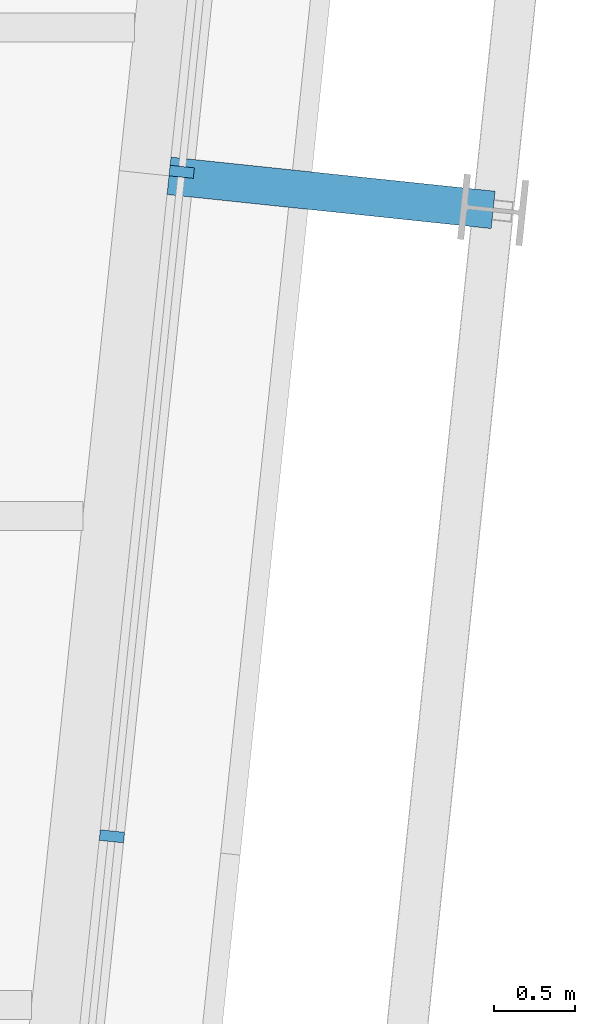
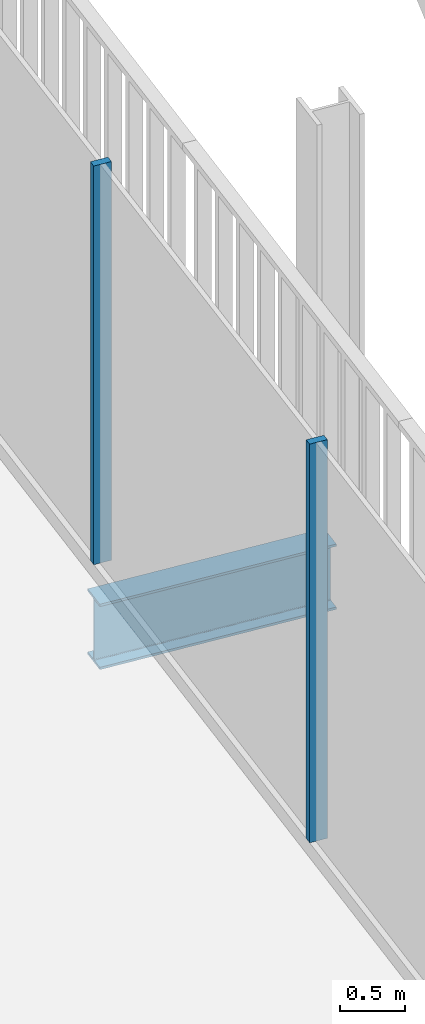
# One storey, part 11 of 21: 2 members, 1 beam, 1 element without a shape of its own.
"""IFC4 building model written with IfcOpenShell, lengths in metres."""

from ifc_helpers import new_model, si_unit, direction, frame, origin, origin_2d, place, context, subcontext, project, spatial, rectangle, i_section, extrude, material, layer, layer_set, material_profile, profile_set, type_object, element, aggregate, save


model = new_model("IFC4")

# Units and contexts
model_context = context("Model", 3, precision=1e-05, world=origin(), true_north=direction((0.0, 1.0)))
body_context = subcontext(model_context, "Body", "Model", "MODEL_VIEW")
ifc_project = project(units=[si_unit("LENGTHUNIT", "METRE"), si_unit("AREAUNIT", "SQUARE_METRE"), si_unit("VOLUMEUNIT", "CUBIC_METRE"), si_unit("PLANEANGLEUNIT", "RADIAN"), si_unit("MASSUNIT", "GRAM", prefix="KILO")], contexts=[model_context])

# Site, building, storey
site_placement = place(None, origin())
site = spatial("IfcSite", under=ifc_project, at=site_placement, CompositionType="ELEMENT")
building_placement = place(site_placement, origin())
building = spatial("IfcBuilding", under=site, at=building_placement, Name="Millrace Tower", CompositionType="ELEMENT")
storey_placement = place(building_placement, frame((0.0, 0.0, 326.5)))
storey = spatial("IfcBuildingStorey", under=building, at=storey_placement, Name="L75", CompositionType="ELEMENT", Elevation=326.5)

# Curtain wall, members
ifc_material_1 = material(Name="Aluminium and glass", Category="aluminium")
ifc_layer = layer(ifc_material_1, 0.14990234375)
ifc_layer_set = layer_set([ifc_layer], Name="Aluminium and glass")
curtain_wall_type = type_object("IfcCurtainWallType", Name="CW-1 office vision curtain wall", PredefinedType="NOTDEFINED", material=ifc_layer_set)
curtain_wall_placement = place(storey_placement, origin())
curtain_wall = element("IfcCurtainWall", 1, at=curtain_wall_placement, inside=storey, type_object=curtain_wall_type, Name="Curtain wall E-F04 L75", PredefinedType="NOTDEFINED")
ifc_material_2 = material(Name="Aluminium", Category="aluminium")
ifc_material_profile_1 = material_profile(ifc_material_2, rectangle(XDim=0.06494140625, YDim=0.14990234375, at=origin_2d()))
ifc_profile_set_1 = profile_set([ifc_material_profile_1], Name="Aluminium")
member_type = type_object("IfcMemberType", Name="CW-1 office vision curtain wall mullion", PredefinedType="MULLION", material=ifc_profile_set_1)
member_1_placement = place(storey_placement, frame((23.11767578125, 4.03515625, 0.139892578125), z_axis=(0.0, 0.0, 1.0), x_axis=(0.104528455196, 0.994521896217, 0.0)))
member_1 = element("IfcMember", 2, at=member_1_placement, type_object=member_type, Name="CW1 mullion E-F04.6", PredefinedType="MULLION", context=body_context, shape_type="SweptSolid", body=[
    extrude(rectangle(XDim=0.06494140625, YDim=0.14990234375, at=origin_2d()), origin(), (0.0, 0.0, 1.0), 3.760009765625),
])
member_2_placement = place(storey_placement, frame((23.546142578125, 8.11279296875, 0.139892578125), z_axis=(0.0, 0.0, 1.0), x_axis=(0.104528455196, 0.994521896217, 0.0)))
member_2 = element("IfcMember", 3, at=member_2_placement, type_object=member_type, Name="CW1 mullion E-F04.7", PredefinedType="MULLION", context=body_context, shape_type="SweptSolid", body=[
    extrude(rectangle(XDim=0.06494140625, YDim=0.14990234375, at=origin_2d()), origin(), (0.0, 0.0, 1.0), 3.760009765625),
])
aggregate(curtain_wall, [member_1, member_2])

# Beam
ifc_material_3 = material(Name="Steel ASTM A992 Grade 50", Category="steel")
ifc_material_profile_2 = material_profile(ifc_material_3, i_section(OverallWidth=0.23046875, OverallDepth=0.6171875, WebThickness=0.01318359375, FlangeThickness=0.022216796875, FilletRadius=0.012939453125, at=origin_2d()))
ifc_profile_set_2 = profile_set([ifc_material_profile_2], Name="Steel ASTM A992 Grade 50")
beam_type = type_object("IfcBeamType", Name="Link beam W24x94", PredefinedType="BEAM", material=ifc_profile_set_2)
beam_placement = place(storey_placement, frame((23.46826171875, 8.08837890625, -0.468505859375), z_axis=(0.994512808172, -0.104614886044, 0.0), x_axis=(0.104614886044, 0.994512808172, 0.0)))
element("IfcBeam", 4, at=beam_placement, inside=storey, type_object=beam_type, Name="LNK-E-L75-S1-10", PredefinedType="BEAM", context=body_context, shape_type="SweptSolid", body=[
    extrude(i_section(OverallWidth=0.23046875, OverallDepth=0.6171875, WebThickness=0.01318359375, FlangeThickness=0.022216796875, FilletRadius=0.012939453125, at=origin_2d()), origin(), (0.0, 0.0, 1.0), 2.0),
])

save(model, "model.ifc")
